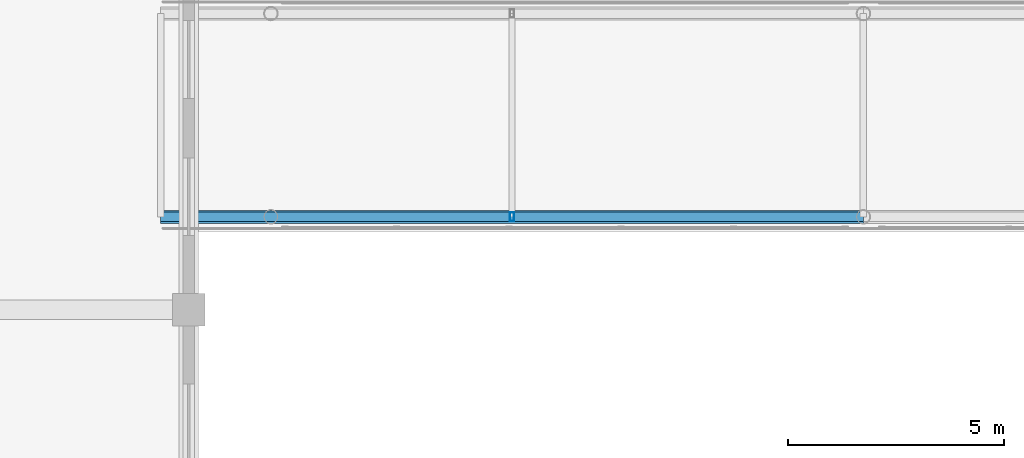
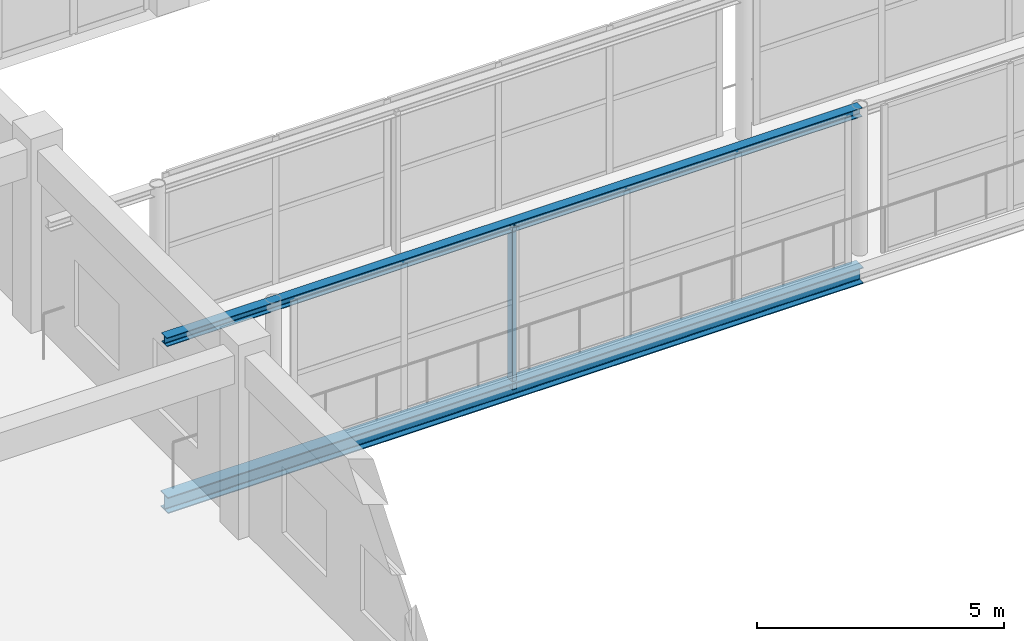
# One storey, part 58 of 167: 2 members, 1 beam.
"""IFC4 building model written with IfcOpenShell, lengths in metres."""

from ifc_helpers import new_model, si_unit, direction, frame, origin, origin_2d, place, context, subcontext, project, spatial, hollow_rectangle, i_section, extrude, material, material_profile, profile_set, type_object, element, save


model = new_model("IFC4")

# Units and contexts
model_context = context("Model", 3, precision=1e-05, world=origin(), true_north=direction((0.0, 1.0)))
body_context = subcontext(model_context, "Body", "Model", "MODEL_VIEW")
ifc_project = project(units=[si_unit("LENGTHUNIT", "METRE"), si_unit("AREAUNIT", "SQUARE_METRE"), si_unit("VOLUMEUNIT", "CUBIC_METRE"), si_unit("PLANEANGLEUNIT", "RADIAN"), si_unit("MASSUNIT", "GRAM", prefix="KILO")], contexts=[model_context])

# Site, building, storey
site_placement = place(None, origin())
site = spatial("IfcSite", under=ifc_project, at=site_placement, CompositionType="ELEMENT")
building_placement = place(site_placement, origin())
building = spatial("IfcBuilding", under=site, at=building_placement, Name="Zizhar Promenade General Hospital", CompositionType="ELEMENT")
storey_placement = place(building_placement, frame((0.0, 0.0, 9.60009765625)))
storey = spatial("IfcBuildingStorey", under=building, at=storey_placement, Name="L02", CompositionType="ELEMENT", Elevation=9.60009765625)

# Beam
ifc_material_1 = material(Name="Steel S355", Category="steel")
ifc_material_profile_1 = material_profile(ifc_material_1, i_section(OverallWidth=0.300048828125, OverallDepth=0.39990234375, WebThickness=0.013427734375, FlangeThickness=0.02392578125, FilletRadius=0.027099609375, at=origin_2d()))
ifc_profile_set_1 = profile_set([ifc_material_profile_1], Name="Steel S355")
beam_type = type_object("IfcBeamType", Name="BM-STL-HEB400", PredefinedType="BEAM", material=ifc_profile_set_1)
beam_placement = place(storey_placement, frame((69.550048828125, 77.75, -0.5), z_axis=(1.0, 0.0, 0.0), x_axis=(0.0, 1.0, 0.0)))
element("IfcBeam", 1, at=beam_placement, inside=storey, type_object=beam_type, Name="SB-2 Bottom Chord 1S", PredefinedType="BEAM", context=body_context, shape_type="SweptSolid", body=[
    extrude(i_section(OverallWidth=0.300048828125, OverallDepth=0.39990234375, WebThickness=0.013427734375, FlangeThickness=0.02392578125, FilletRadius=0.027099609375, at=origin_2d()), origin(), (0.0, 0.0, 1.0), 16.25),
])

# Members
ifc_material_2 = material(Name="Steel S355", Category="steel")
ifc_material_profile_2 = material_profile(ifc_material_2, i_section(OverallWidth=0.219970703125, OverallDepth=0.219970703125, WebThickness=0.009521484375, FlangeThickness=0.01611328125, FilletRadius=0.01806640625, at=origin_2d()))
ifc_profile_set_2 = profile_set([ifc_material_profile_2], Name="Steel S355")
member_type_1 = type_object("IfcMemberType", Name="MEM-CHORD-HEB220", PredefinedType="CHORD", material=ifc_profile_set_2)
member_1_placement = place(storey_placement, frame((69.550048828125, 77.75, 3.510009765625), z_axis=(1.0, 0.0, 0.0), x_axis=(0.0, 1.0, 0.0)))
element("IfcMember", 2, at=member_1_placement, inside=storey, type_object=member_type_1, Name="SB-2 Top Chord 1S", PredefinedType="CHORD", context=body_context, shape_type="SweptSolid", body=[
    extrude(i_section(OverallWidth=0.219970703125, OverallDepth=0.219970703125, WebThickness=0.009521484375, FlangeThickness=0.01611328125, FilletRadius=0.01806640625, at=origin_2d()), origin(), (0.0, 0.0, 1.0), 16.25),
])
ifc_material_3 = material(Name="Steel S355", Category="steel")
ifc_material_profile_3 = material_profile(ifc_material_3, hollow_rectangle(XDim=0.10009765625, YDim=0.199951171875, WallThickness=0.008056640625, at=origin_2d()))
ifc_profile_set_3 = profile_set([ifc_material_profile_3], Name="Steel S355")
member_type_2 = type_object("IfcMemberType", Name="MEM-STRUT-RHS200", PredefinedType="STRUT", material=ifc_profile_set_3)
member_2_placement = place(storey_placement, frame((77.675048828125, 77.75, -0.5), z_axis=(0.0, 0.0, 1.0), x_axis=(1.0, 0.0, 0.0)))
element("IfcMember", 3, at=member_2_placement, inside=storey, type_object=member_type_2, Name="SB-2 Vierendeel Post 1S", PredefinedType="STRUT", context=body_context, shape_type="SweptSolid", body=[
    extrude(hollow_rectangle(XDim=0.10009765625, YDim=0.199951171875, WallThickness=0.008056640625, at=origin_2d()), origin(), (0.0, 0.0, 1.0), 4.010009765625),
])

save(model, "model.ifc")
